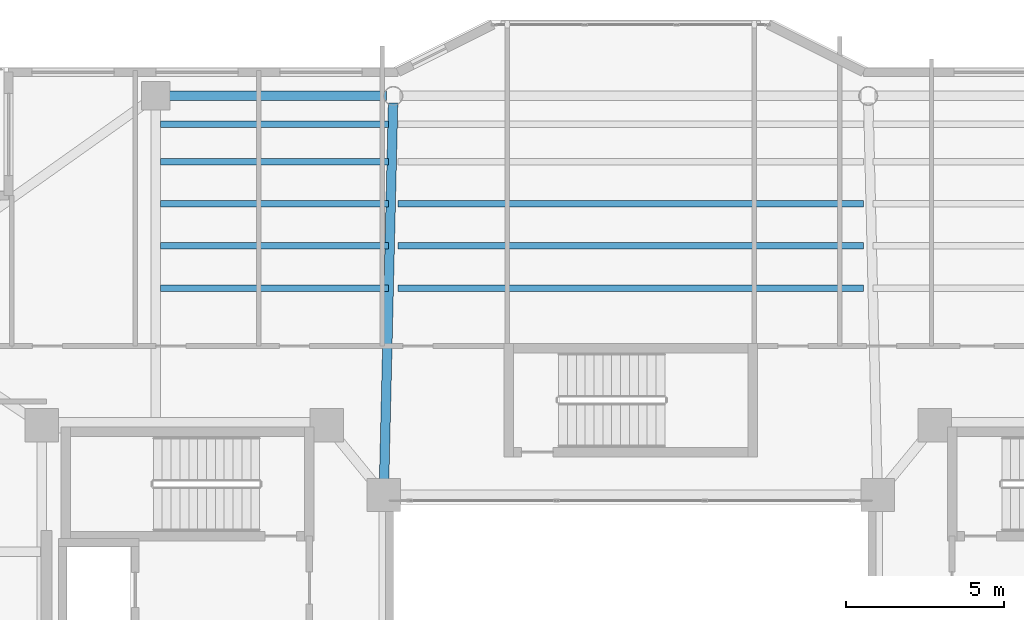
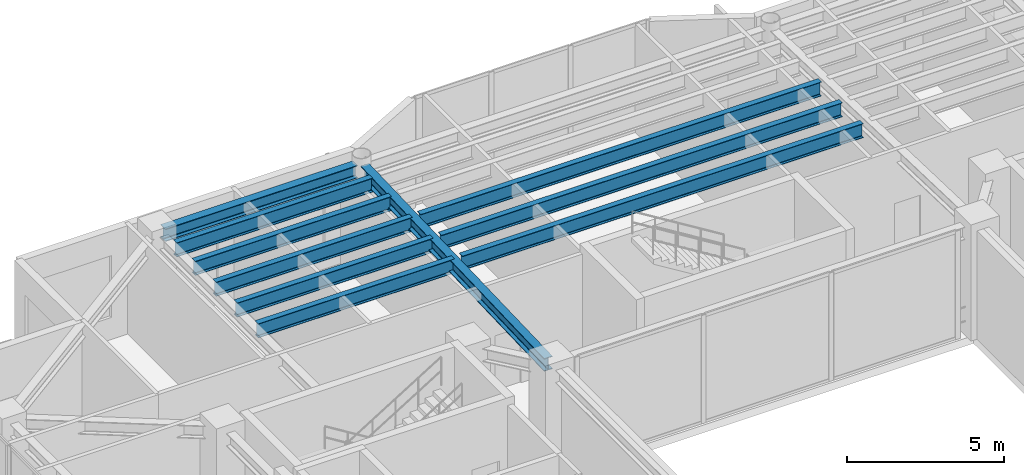
# One storey, part 18 of 33: 10 beams.
"""IFC4 building model written with IfcOpenShell, lengths in metres."""

from ifc_helpers import new_model, si_unit, direction, frame, origin, origin_2d, place, context, subcontext, project, spatial, i_section, extrude, material, material_profile, profile_set, type_object, element, save


model = new_model("IFC4")

# Units and contexts
model_context = context("Model", 3, precision=1e-05, world=origin(), true_north=direction((0.0, 1.0)))
body_context = subcontext(model_context, "Body", "Model", "MODEL_VIEW")
ifc_project = project(units=[si_unit("LENGTHUNIT", "METRE"), si_unit("AREAUNIT", "SQUARE_METRE"), si_unit("VOLUMEUNIT", "CUBIC_METRE"), si_unit("PLANEANGLEUNIT", "RADIAN"), si_unit("MASSUNIT", "GRAM", prefix="KILO")], contexts=[model_context])

# Site, building, storey
site_placement = place(None, origin())
site = spatial("IfcSite", under=ifc_project, at=site_placement, CompositionType="ELEMENT")
building_placement = place(site_placement, origin())
building = spatial("IfcBuilding", under=site, at=building_placement, Name="Tarnavaz Court Tower", CompositionType="ELEMENT")
storey_placement = place(building_placement, frame((0.0, 0.0, 172.800048828125)))
storey = spatial("IfcBuildingStorey", under=building, at=storey_placement, Name="L47", CompositionType="ELEMENT", Elevation=172.800048828125)

# Beams
ifc_material = material(Name="Steel S355", Category="steel")
ifc_material_profile_1 = material_profile(ifc_material, i_section(OverallWidth=0.300048828125, OverallDepth=0.5, WebThickness=0.014404296875, FlangeThickness=0.028076171875, FilletRadius=0.027099609375, at=origin_2d()), Name="HEB 500")
ifc_profile_set_1 = profile_set([ifc_material_profile_1], Name="Steel S355")
beam_type_1 = type_object("IfcBeamType", Name="BM-G-HEB500", PredefinedType="USERDEFINED", material=ifc_profile_set_1)
beam_1_placement = place(storey_placement, frame((-7.794921875, 8.02001953125, 3.949951171875), z_axis=(0.023824748444, 0.999716150395, 0.0), x_axis=(-0.999716150395, 0.023824748444, 0.0)))
element("IfcBeam", 1, at=beam_1_placement, inside=storey, type_object=beam_type_1, Name="L47 Beam RG-02", ObjectType="GIRDER", PredefinedType="USERDEFINED", context=body_context, shape_type="SweptSolid", body=[
    extrude(i_section(OverallWidth=0.300048828125, OverallDepth=0.5, WebThickness=0.014404296875, FlangeThickness=0.028076171875, FilletRadius=0.027099609375, at=origin_2d()), origin(), (0.0, 0.0, 1.0), 12.16357421875),
])
ifc_material_profile_2 = material_profile(ifc_material, i_section(OverallWidth=0.2099609375, OverallDepth=0.550048828125, WebThickness=0.010986328125, FlangeThickness=0.01708984375, FilletRadius=0.02392578125, at=origin_2d()), Name="IPE 550")
ifc_profile_set_2 = profile_set([ifc_material_profile_2], Name="Steel S355")
beam_type_2 = type_object("IfcBeamType", Name="BM-J-IPE550", PredefinedType="JOIST", material=ifc_profile_set_2)
beam_2_placement = place(storey_placement, frame((-14.85009765625, 14.33203125, 3.925048828125), z_axis=(1.0, 0.0, 0.0), x_axis=(0.0, 1.0, 0.0)))
element("IfcBeam", 2, at=beam_2_placement, inside=storey, type_object=beam_type_2, Name="L47 Beam JN1-1", PredefinedType="JOIST", context=body_context, shape_type="SweptSolid", body=[
    extrude(i_section(OverallWidth=0.2099609375, OverallDepth=0.550048828125, WebThickness=0.010986328125, FlangeThickness=0.01708984375, FilletRadius=0.02392578125, at=origin_2d()), origin(), (0.0, 0.0, 1.0), 7.2001953125),
])
beam_3_placement = place(storey_placement, frame((-7.35009765625, 14.33203125, 3.925048828125), z_axis=(1.0, 0.0, 0.0), x_axis=(0.0, 1.0, 0.0)))
element("IfcBeam", 3, at=beam_3_placement, inside=storey, type_object=beam_type_2, Name="L47 Beam JN1-2", PredefinedType="JOIST", context=body_context, shape_type="SweptSolid", body=[
    extrude(i_section(OverallWidth=0.2099609375, OverallDepth=0.550048828125, WebThickness=0.010986328125, FlangeThickness=0.01708984375, FilletRadius=0.02392578125, at=origin_2d()), origin(), (0.0, 0.0, 1.0), 14.7001953125),
])
beam_4_placement = place(storey_placement, frame((-14.85009765625, 15.6640625, 3.925048828125), z_axis=(1.0, 0.0, 0.0), x_axis=(0.0, 1.0, 0.0)))
element("IfcBeam", 4, at=beam_4_placement, inside=storey, type_object=beam_type_2, Name="L47 Beam JN2-1", PredefinedType="JOIST", context=body_context, shape_type="SweptSolid", body=[
    extrude(i_section(OverallWidth=0.2099609375, OverallDepth=0.550048828125, WebThickness=0.010986328125, FlangeThickness=0.01708984375, FilletRadius=0.02392578125, at=origin_2d()), origin(), (0.0, 0.0, 1.0), 7.2001953125),
])
beam_5_placement = place(storey_placement, frame((-7.35009765625, 15.6640625, 3.925048828125), z_axis=(1.0, 0.0, 0.0), x_axis=(0.0, 1.0, 0.0)))
element("IfcBeam", 5, at=beam_5_placement, inside=storey, type_object=beam_type_2, Name="L47 Beam JN2-2", PredefinedType="JOIST", context=body_context, shape_type="SweptSolid", body=[
    extrude(i_section(OverallWidth=0.2099609375, OverallDepth=0.550048828125, WebThickness=0.010986328125, FlangeThickness=0.01708984375, FilletRadius=0.02392578125, at=origin_2d()), origin(), (0.0, 0.0, 1.0), 14.7001953125),
])
beam_6_placement = place(storey_placement, frame((-14.85009765625, 16.99609375, 3.925048828125), z_axis=(1.0, 0.0, 0.0), x_axis=(0.0, 1.0, 0.0)))
element("IfcBeam", 6, at=beam_6_placement, inside=storey, type_object=beam_type_2, Name="L47 Beam JN3-1", PredefinedType="JOIST", context=body_context, shape_type="SweptSolid", body=[
    extrude(i_section(OverallWidth=0.2099609375, OverallDepth=0.550048828125, WebThickness=0.010986328125, FlangeThickness=0.01708984375, FilletRadius=0.02392578125, at=origin_2d()), origin(), (0.0, 0.0, 1.0), 7.2001953125),
])
beam_7_placement = place(storey_placement, frame((-7.35009765625, 16.99609375, 3.925048828125), z_axis=(1.0, 0.0, 0.0), x_axis=(0.0, 1.0, 0.0)))
element("IfcBeam", 7, at=beam_7_placement, inside=storey, type_object=beam_type_2, Name="L47 Beam JN3-2", PredefinedType="JOIST", context=body_context, shape_type="SweptSolid", body=[
    extrude(i_section(OverallWidth=0.2099609375, OverallDepth=0.550048828125, WebThickness=0.010986328125, FlangeThickness=0.01708984375, FilletRadius=0.02392578125, at=origin_2d()), origin(), (0.0, 0.0, 1.0), 14.7001953125),
])
for number, where, z_axis, x_axis, name in (
    (8, (-14.85009765625, 18.327880859375, 3.925048828125), (1.0, 0.0, 0.0), (0.0, 1.0, 0.0), "L47 Beam JN4-1"),
    (9, (-14.85009765625, 19.511962890625, 3.925048828125), (1.0, 0.0, 0.0), (0.0, 1.0, 0.0), "L47 Beam JN5-1"),
):
    element("IfcBeam", number, at=place(storey_placement, frame(where, z_axis=z_axis, x_axis=x_axis)), inside=storey, type_object=beam_type_2, Name=name, PredefinedType="JOIST", context=body_context, shape_type="SweptSolid", body=[
        extrude(i_section(OverallWidth=0.2099609375, OverallDepth=0.550048828125, WebThickness=0.010986328125, FlangeThickness=0.01708984375, FilletRadius=0.02392578125, at=origin_2d()), origin(), (0.0, 0.0, 1.0), 7.2001953125),
    ])
ifc_material_profile_3 = material_profile(ifc_material, i_section(OverallWidth=0.300048828125, OverallDepth=0.489990234375, WebThickness=0.011962890625, FlangeThickness=0.02294921875, FilletRadius=0.027099609375, at=origin_2d()), Name="HEA 500")
ifc_profile_set_3 = profile_set([ifc_material_profile_3], Name="Steel S355")
beam_type_3 = type_object("IfcBeamType", Name="BM-SP-HEA500", PredefinedType="SPANDREL", material=ifc_profile_set_3)
beam_8_placement = place(storey_placement, frame((-14.780029296875, 20.39990234375, 3.954833984375), z_axis=(1.0, 0.0, 0.0), x_axis=(0.0, 1.0, 0.0)))
element("IfcBeam", 10, at=beam_8_placement, inside=storey, type_object=beam_type_3, Name="L47 Beam PR-PN-1-PN-2", PredefinedType="SPANDREL", context=body_context, shape_type="SweptSolid", body=[
    extrude(i_section(OverallWidth=0.300048828125, OverallDepth=0.489990234375, WebThickness=0.011962890625, FlangeThickness=0.02294921875, FilletRadius=0.027099609375, at=origin_2d()), origin(), (0.0, 0.0, 1.0), 7.06005859375),
])

save(model, "model.ifc")
